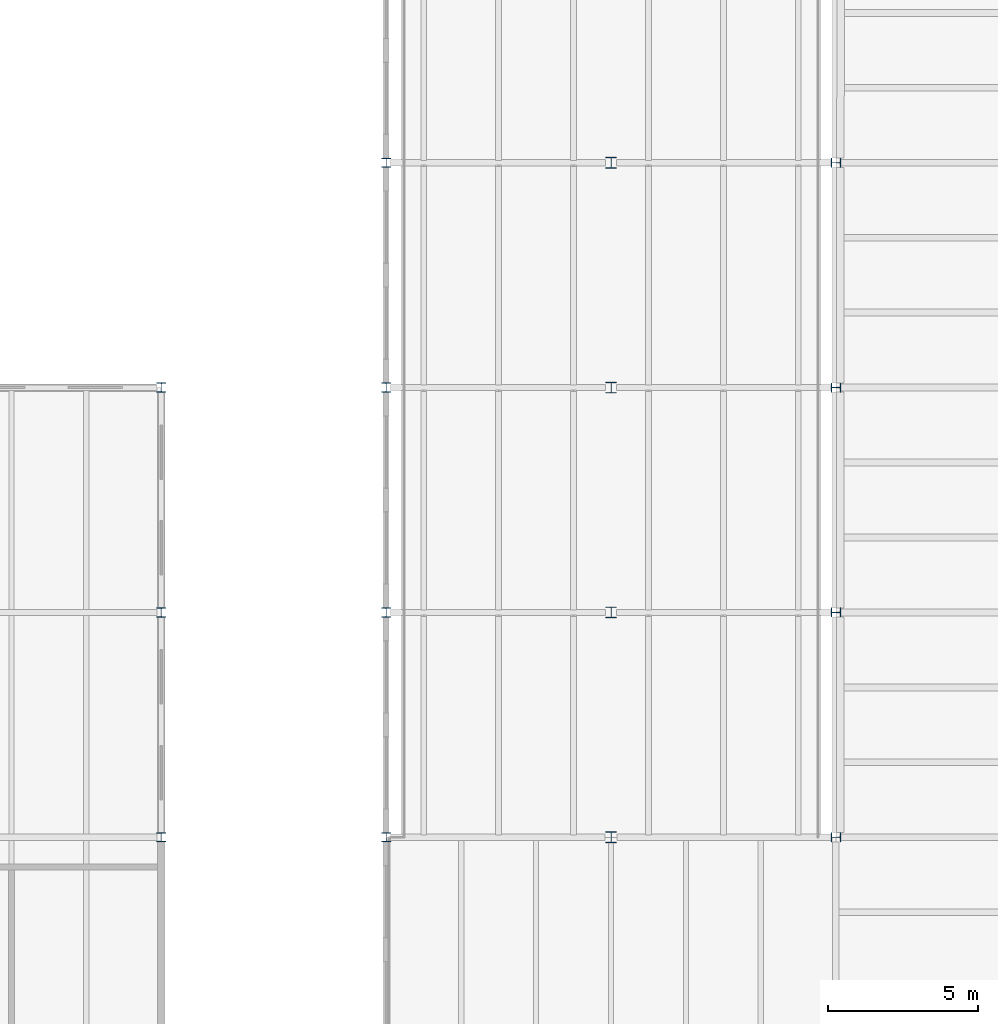
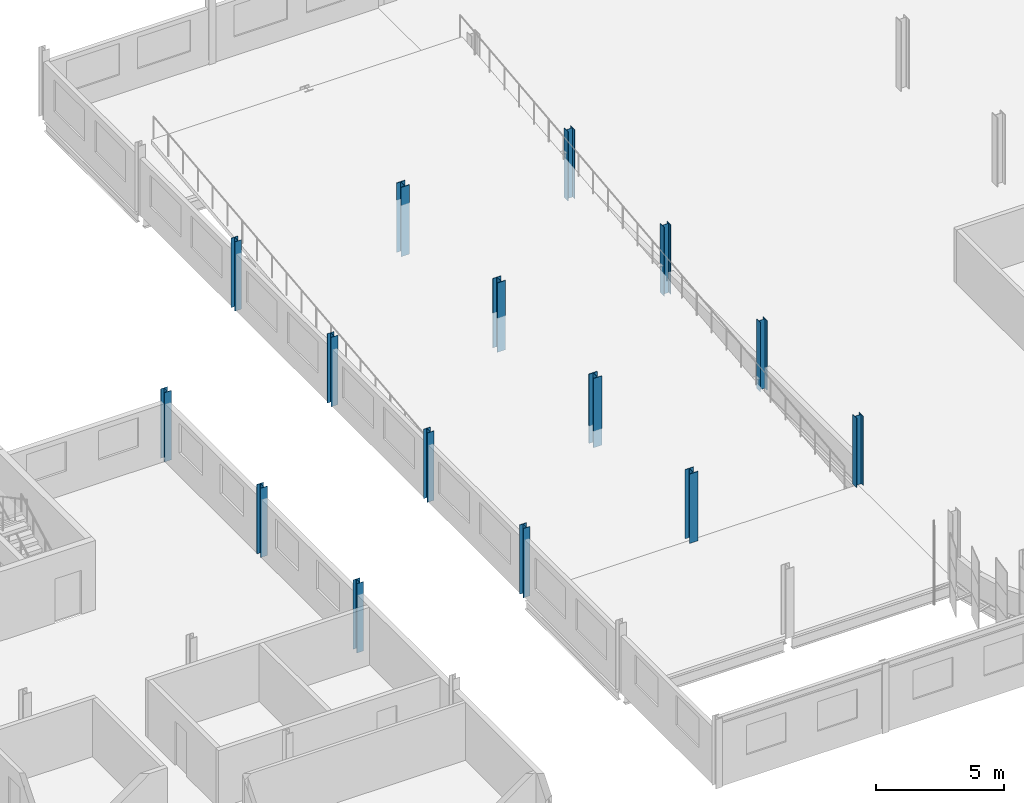
# One storey, part 24 of 214: 15 columns.
"""IFC4 building model written with IfcOpenShell, lengths in metres."""

from ifc_helpers import new_model, si_unit, direction, frame, origin, origin_2d, place, context, subcontext, project, spatial, i_section, extrude, material, material_profile, profile_set, type_object, element, save


model = new_model("IFC4")

# Units and contexts
model_context = context("Model", 3, precision=1e-05, world=origin(), true_north=direction((0.0, 1.0)))
body_context = subcontext(model_context, "Body", "Model", "MODEL_VIEW")
ifc_project = project(units=[si_unit("LENGTHUNIT", "METRE"), si_unit("AREAUNIT", "SQUARE_METRE"), si_unit("VOLUMEUNIT", "CUBIC_METRE"), si_unit("PLANEANGLEUNIT", "RADIAN"), si_unit("MASSUNIT", "GRAM", prefix="KILO")], contexts=[model_context])

# Site, building, storey
site_placement = place(None, origin())
site = spatial("IfcSite", under=ifc_project, at=site_placement, CompositionType="ELEMENT")
building_placement = place(site_placement, origin())
building = spatial("IfcBuilding", under=site, at=building_placement, Name="Parallax Yard Mobility Hub", CompositionType="ELEMENT")
storey_placement = place(building_placement, frame((0.0, 0.0, 3.300048828125)))
storey = spatial("IfcBuildingStorey", under=building, at=storey_placement, Name="L01", CompositionType="ELEMENT", Elevation=3.300048828125)

# Columns
ifc_material = material(Name="Steel ASTM A992", Category="steel")
ifc_material_profile_1 = material_profile(ifc_material, i_section(OverallWidth=0.304931640625, OverallDepth=0.31201171875, WebThickness=0.010986328125, FlangeThickness=0.01708984375, FilletRadius=0.015380859375, at=origin_2d()), Name="W310x107")
ifc_profile_set_1 = profile_set([ifc_material_profile_1], Name="Steel ASTM A992")
column_type_1 = type_object("IfcColumnType", Name="W310x107 column", PredefinedType="COLUMN", material=ifc_profile_set_1)
for number, where, z_axis, x_axis, name in (
    (1, (195.0, 60.0, 0.0), (0.0, 0.0, 1.0), (0.0, 1.0, 0.0), "Column C2 level L01 at J/27 of ramped parking decks"),
    (2, (195.0, 52.5, 0.0), (0.0, 0.0, 1.0), (0.0, 1.0, 0.0), "Column C2 level L01 at H/27 of ramped parking decks"),
    (3, (195.0, 45.0, 0.0), (0.0, 0.0, 1.0), (0.0, 1.0, 0.0), "Column C2 level L01 at G/27 of ramped parking decks"),
    (4, (195.0, 37.5, 0.0), (0.0, 0.0, 1.0), (0.0, 1.0, 0.0), "Column C2 level L01 at F/27 of ramped parking decks"),
):
    element("IfcColumn", number, at=place(storey_placement, frame(where, z_axis=z_axis, x_axis=x_axis)), inside=storey, type_object=column_type_1, Name=name, PredefinedType="COLUMN", context=body_context, shape_type="SweptSolid", body=[
        extrude(i_section(OverallWidth=0.304931640625, OverallDepth=0.31201171875, WebThickness=0.010986328125, FlangeThickness=0.01708984375, FilletRadius=0.015380859375, at=origin_2d()), origin(), (0.0, 0.0, 1.0), 3.300048828125),
    ])
ifc_material_profile_2 = material_profile(ifc_material, i_section(OverallWidth=0.304931640625, OverallDepth=0.306884765625, WebThickness=0.010009765625, FlangeThickness=0.015380859375, FilletRadius=0.01513671875, at=origin_2d()), Name="W310x97")
ifc_profile_set_2 = profile_set([ifc_material_profile_2], Name="Steel ASTM A992")
column_type_2 = type_object("IfcColumnType", Name="W310x97 column", PredefinedType="COLUMN", material=ifc_profile_set_2)
for number, where, z_axis, x_axis, name in (
    (5, (180.0, 37.5, 0.0), (0.0, 0.0, 1.0), (1.0, 0.0, 0.0), "Column C1 level L01 at F/25 of ramp house"),
    (6, (180.0, 45.0, 0.0), (0.0, 0.0, 1.0), (1.0, 0.0, 0.0), "Column C1 level L01 at G/25 of ramp house"),
    (7, (180.0, 52.5, 0.0), (0.0, 0.0, 1.0), (1.0, 0.0, 0.0), "Column C1 level L01 at H/25 of ramp house"),
    (8, (180.0, 60.0, 0.0), (0.0, 0.0, 1.0), (1.0, 0.0, 0.0), "Column C1 level L01 at J/25 of ramp house"),
    (9, (172.5, 37.5, 0.0), (0.0, 0.0, 1.0), (1.0, 0.0, 0.0), "Column C1 level L01 at F/24 of bicycle and shared-mobility hall"),
    (10, (172.5, 45.0, 0.0), (0.0, 0.0, 1.0), (1.0, 0.0, 0.0), "Column C1 level L01 at G/24 of bicycle and shared-mobility hall"),
    (11, (172.5, 52.5, 0.0), (0.0, 0.0, 1.0), (1.0, 0.0, 0.0), "Column C1 level L01 at H/24 of bicycle and shared-mobility hall"),
):
    element("IfcColumn", number, at=place(storey_placement, frame(where, z_axis=z_axis, x_axis=x_axis)), inside=storey, type_object=column_type_2, Name=name, PredefinedType="COLUMN", context=body_context, shape_type="SweptSolid", body=[
        extrude(i_section(OverallWidth=0.304931640625, OverallDepth=0.306884765625, WebThickness=0.010009765625, FlangeThickness=0.015380859375, FilletRadius=0.01513671875, at=origin_2d()), origin(), (0.0, 0.0, 1.0), 3.300048828125),
    ])
ifc_material_profile_3 = material_profile(ifc_material, i_section(OverallWidth=0.373046875, OverallDepth=0.373046875, WebThickness=0.016357421875, FlangeThickness=0.026123046875, FilletRadius=0.01513671875, at=origin_2d()), Name="W360x196")
ifc_profile_set_3 = profile_set([ifc_material_profile_3], Name="Steel ASTM A992")
column_type_3 = type_object("IfcColumnType", Name="W360x196 column", PredefinedType="COLUMN", material=ifc_profile_set_3)
for number, where, z_axis, x_axis, name in (
    (12, (187.5, 37.5, 0.0), (0.0, 0.0, 1.0), (1.0, 0.0, 0.0), "Column C8 level L01 at F/26 of ramp house"),
    (13, (187.5, 45.0, 0.0), (0.0, 0.0, 1.0), (1.0, 0.0, 0.0), "Column C8 level L01 at G/26 of ramp house"),
    (14, (187.5, 52.5, 0.0), (0.0, 0.0, 1.0), (1.0, 0.0, 0.0), "Column C8 level L01 at H/26 of ramp house"),
    (15, (187.5, 60.0, 0.0), (0.0, 0.0, 1.0), (1.0, 0.0, 0.0), "Column C8 level L01 at J/26 of ramp house"),
):
    element("IfcColumn", number, at=place(storey_placement, frame(where, z_axis=z_axis, x_axis=x_axis)), inside=storey, type_object=column_type_3, Name=name, PredefinedType="COLUMN", context=body_context, shape_type="SweptSolid", body=[
        extrude(i_section(OverallWidth=0.373046875, OverallDepth=0.373046875, WebThickness=0.016357421875, FlangeThickness=0.026123046875, FilletRadius=0.01513671875, at=origin_2d()), origin(), (0.0, 0.0, 1.0), 3.300048828125),
    ])

save(model, "model.ifc")
